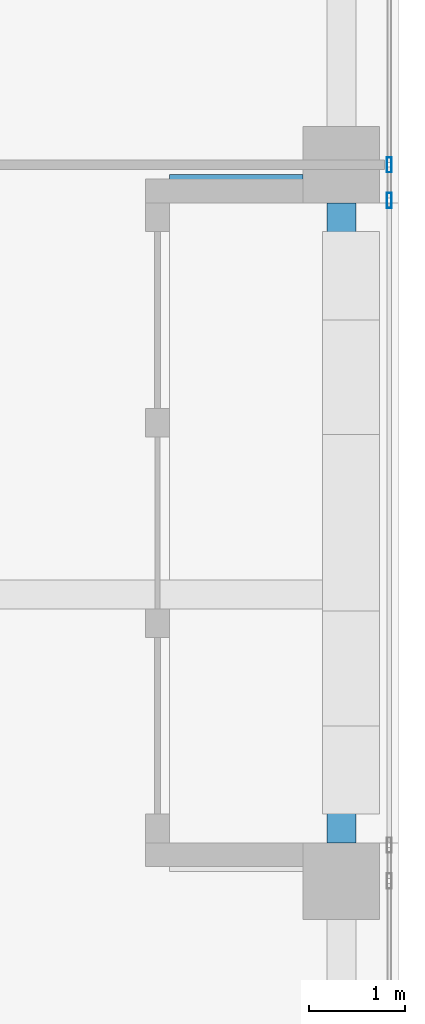
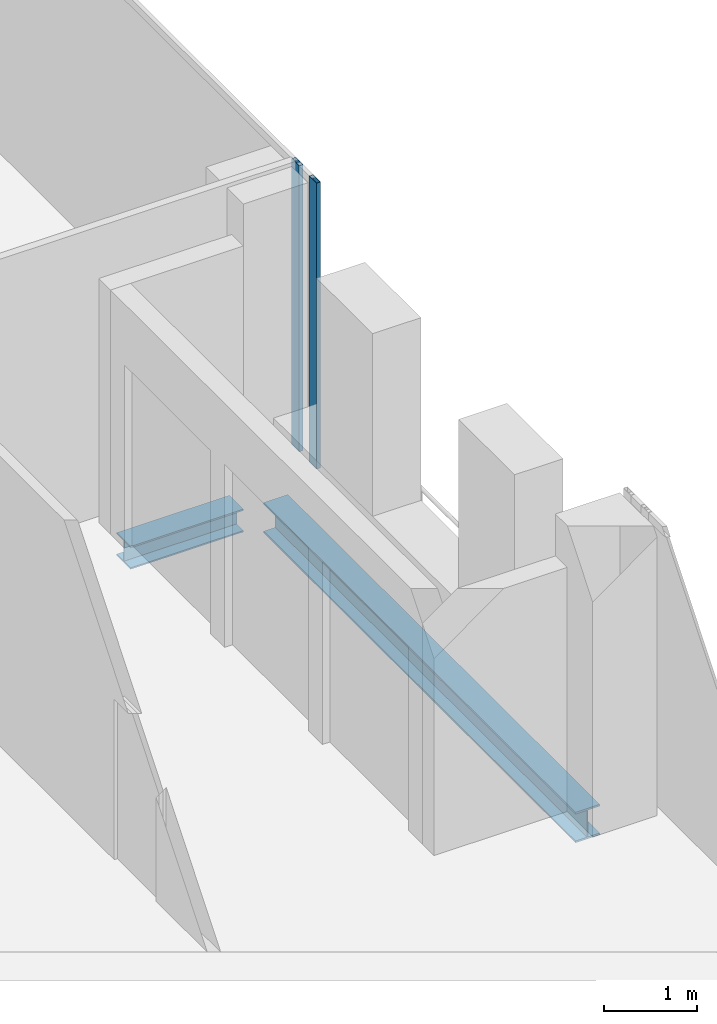
# One storey, part 11 of 29: 2 beams, 2 members, 1 element without a shape of its own.
"""IFC4 building model written with IfcOpenShell, lengths in metres."""

import ifcopenshell
import ifcopenshell.guid

model = None  # the IFC model being written
_history = None  # IfcOwnerHistory: only IFC2X3 demands one
_inside = {}  # id of a spatial element -> (the spatial element, [elements in it])
_under = {}  # id of a project, library or spatial element -> (it, [spatial elements below it])
_declared = {}  # id of a project -> (the project, [libraries it declares])
_typed = {}  # id of a type object -> (the type object, [elements of that type])
_made_of = {}  # id of a material, layer set ... -> (it, [elements and type objects made of it])


def new_model(schema):
    """Start an empty IFC model of exactly this schema.

    Asked for "IFC4X3", IfcOpenShell would pick the latest addendum, in which some entities
    have other attributes; the version numbers below select the first issue.
    IFC2X3 requires an IfcOwnerHistory on every rooted entity: one is made here for all.
    """
    global model, _history
    if schema == "IFC4X3":
        model = ifcopenshell.file(schema_version=(4, 3, 0, 0))
    else:
        model = ifcopenshell.file(schema=schema)
    _inside.clear()
    _under.clear()
    _declared.clear()
    _typed.clear()
    _made_of.clear()
    _history = None
    if model.schema == "IFC2X3":
        org = make("IfcOrganization", Name="unknown")
        user = make(
            "IfcPersonAndOrganization",
            ThePerson=make("IfcPerson", FamilyName="unknown"),
            TheOrganization=org,
        )
        app = make(
            "IfcApplication",
            ApplicationDeveloper=org,
            Version="unknown",
            ApplicationFullName="unknown",
            ApplicationIdentifier="unknown",
        )
        _history = make(
            "IfcOwnerHistory",
            OwningUser=user,
            OwningApplication=app,
            ChangeAction="ADDED",
            CreationDate=0,
        )
    return model


def make(cls, **values):
    """One entity of the class cls with the attributes given. An attribute that is None is left unset."""
    return model.create_entity(
        cls, **{name: value for name, value in values.items() if value is not None}
    )


def rooted(cls, **values):
    """An entity with a GlobalId (a new one), such as an element, a storey or a relation."""
    return make(cls, GlobalId=ifcopenshell.guid.new(), OwnerHistory=_history, **values)


def si_unit(unit_type, name, prefix=None):
    """IfcSIUnit, for example si_unit("LENGTHUNIT", "METRE", prefix="MILLI")."""
    return make("IfcSIUnit", UnitType=unit_type, Prefix=prefix, Name=name)


def assignment(units):
    """IfcUnitAssignment: the units of a project."""
    return None if units is None else make("IfcUnitAssignment", Units=units)


def point(xyz):
    """IfcCartesianPoint."""
    return None if xyz is None else make("IfcCartesianPoint", Coordinates=xyz)


def direction(xyz):
    """IfcDirection."""
    return None if xyz is None else make("IfcDirection", DirectionRatios=xyz)


def frame(location, z_axis=None, x_axis=None):
    """IfcAxis2Placement3D, a coordinate frame: its origin and axes. An axis left out is left unset."""
    return make(
        "IfcAxis2Placement3D",
        Location=point(location),
        Axis=direction(z_axis),
        RefDirection=direction(x_axis),
    )


def frame_2d(location, x_axis=None):
    """IfcAxis2Placement2D, a coordinate frame in the plane: its origin and x axis."""
    return make(
        "IfcAxis2Placement2D", Location=point(location), RefDirection=direction(x_axis)
    )


def origin():
    """The frame at (0, 0, 0) with its axes left unset."""
    return frame((0.0, 0.0, 0.0))


def origin_2d():
    """The frame at (0, 0) in the plane with its x axis left unset."""
    return frame_2d((0.0, 0.0))


def place(relative_to, where):
    """IfcLocalPlacement: puts the frame where relative to a parent placement (None: the world)."""
    return make(
        "IfcLocalPlacement", PlacementRelTo=relative_to, RelativePlacement=where
    )


def context(
    kind, dimensions, precision=None, world=None, true_north=None, identifier=None
):
    """IfcGeometricRepresentationContext, for example the 3D "Model" context."""
    return make(
        "IfcGeometricRepresentationContext",
        ContextIdentifier=identifier,
        ContextType=kind,
        CoordinateSpaceDimension=dimensions,
        Precision=precision,
        WorldCoordinateSystem=world,
        TrueNorth=true_north,
    )


def subcontext(parent, identifier, kind, view, scale=None):
    """IfcGeometricRepresentationSubContext, for example "Body" below "Model"."""
    return make(
        "IfcGeometricRepresentationSubContext",
        ContextIdentifier=identifier,
        ContextType=kind,
        ParentContext=parent,
        TargetScale=scale,
        TargetView=view,
    )


def project(units=None, contexts=None):
    """IfcProject with its units and contexts."""
    return rooted(
        "IfcProject",
        Name="project",
        RepresentationContexts=contexts,
        UnitsInContext=assignment(units),
    )


def spatial(cls, under=None, at=None, **own):
    """A site, building, storey or space (cls), placed at a placement, below another one or the project."""
    s = rooted(cls, ObjectPlacement=at, **own)
    if under is not None:
        _under.setdefault(under.id(), (under, []))[1].append(s)
    return s


def profile(cls, at=None, kind="AREA", **sizes):
    """A parametric profile (cls). Its sizes go by their IFC names, for example OverallWidth=200.0."""
    return make(cls, ProfileType=kind, Position=at, **sizes)


def hollow_rectangle(**sizes):
    """IfcRectangleHollowProfileDef."""
    return profile("IfcRectangleHollowProfileDef", **sizes)


def i_section(**sizes):
    """IfcIShapeProfileDef."""
    return profile("IfcIShapeProfileDef", **sizes)


def extrude(swept, where, along, depth):
    """IfcExtrudedAreaSolid: the profile swept, set in the frame where, extruded along a direction by depth."""
    return make(
        "IfcExtrudedAreaSolid",
        SweptArea=swept,
        Position=where,
        ExtrudedDirection=direction(along),
        Depth=depth,
    )


def shape(context_of_items, identifier, shape_type, items):
    """IfcShapeRepresentation: the items that make up one representation, for example the "Body"."""
    return make(
        "IfcShapeRepresentation",
        ContextOfItems=context_of_items,
        RepresentationIdentifier=identifier,
        RepresentationType=shape_type,
        Items=items,
    )


def source(mapping_origin, context_of_items, identifier, shape_type, items):
    """IfcRepresentationMap: a shape defined once, which mapped items show again and again."""
    return make(
        "IfcRepresentationMap",
        MappingOrigin=mapping_origin,
        MappedRepresentation=shape(context_of_items, identifier, shape_type, items),
    )


def transform(
    local_origin,
    x_axis=None,
    y_axis=None,
    z_axis=None,
    scale=None,
    scale2=None,
    scale3=None,
    uniform=True,
):
    """IfcCartesianTransformationOperator3D, or its non-uniform kind. x_axis, y_axis, z_axis: its Axis1, 2, 3."""
    if uniform:
        return make(
            "IfcCartesianTransformationOperator3D",
            Axis1=direction(x_axis),
            Axis2=direction(y_axis),
            LocalOrigin=point(local_origin),
            Scale=scale,
            Axis3=direction(z_axis),
        )
    return make(
        "IfcCartesianTransformationOperator3DnonUniform",
        Axis1=direction(x_axis),
        Axis2=direction(y_axis),
        LocalOrigin=point(local_origin),
        Scale=scale,
        Axis3=direction(z_axis),
        Scale2=scale2,
        Scale3=scale3,
    )


def mapped(mapping_source, mapping_target):
    """IfcMappedItem: shows the shape of a source again, moved by a transform."""
    return make(
        "IfcMappedItem", MappingSource=mapping_source, MappingTarget=mapping_target
    )


def material(Name=None, Category=None):
    """IfcMaterial."""
    return make("IfcMaterial", Name=Name, Category=Category)


def material_profile(
    of_material, cross_section, Name=None, Category=None, Priority=None
):
    """IfcMaterialProfile: a cross section and its material."""
    return make(
        "IfcMaterialProfile",
        Name=Name,
        Material=of_material,
        Profile=cross_section,
        Priority=Priority,
        Category=Category,
    )


def profile_set(profiles, Name=None, composite=None):
    """IfcMaterialProfileSet."""
    return make(
        "IfcMaterialProfileSet",
        Name=Name,
        MaterialProfiles=profiles,
        CompositeProfile=composite,
    )


def made_of(thing, what):
    """Note that an element or type object is made of a material, layer set ...; save() writes the relation."""
    if what is not None:
        _made_of.setdefault(what.id(), (what, []))[1].append(thing)
    return thing


def type_object(cls, material=None, **own):
    """A type object (cls), such as IfcWallType, which elements share."""
    return made_of(rooted(cls, **own), material)


def element(
    cls,
    number,
    at=None,
    inside=None,
    cuts=None,
    type_object=None,
    material=None,
    context=None,
    identifier="Body",
    shape_type=None,
    held_by="IfcProductDefinitionShape",
    body=None,
    shapes=None,
    **own,
):
    """One element of the class cls, such as IfcWall. Its Tag is "e" and its number.

    at: its placement. inside: the storey or other place that contains it. cuts: it is an
    opening in that element (IfcRelVoidsElement). A single representation is given by context,
    identifier, shape_type and body (its items); several are given by shapes. held_by: the class
    of the entity that holds the representations. save() writes the other relations.
    """
    e = rooted(cls, Tag="e%d" % number, ObjectPlacement=at, **own)
    if body is not None:
        shapes = [shape(context, identifier, shape_type, body)]
    if shapes is not None:
        e.Representation = make(held_by, Representations=shapes)
    if inside is not None:
        _inside.setdefault(inside.id(), (inside, []))[1].append(e)
    if cuts is not None:
        rooted(
            "IfcRelVoidsElement", RelatingBuildingElement=cuts, RelatedOpeningElement=e
        )
    if type_object is not None:
        _typed.setdefault(type_object.id(), (type_object, []))[1].append(e)
    return made_of(e, material)


def aggregate(whole, parts):
    """IfcRelAggregates: a whole, such as a stair, and the parts it consists of."""
    return rooted("IfcRelAggregates", RelatingObject=whole, RelatedObjects=parts)


def save(model, path):
    """Write the relations noted so far, then the file.

    IfcRelAggregates (storeys below a building ...), IfcRelContainedInSpatialStructure (elements
    in a storey), IfcRelDefinesByType, IfcRelAssociatesMaterial and IfcRelDeclares: one each for
    every whole, place, type object, material and project.
    """
    for whole, parts in _under.values():
        aggregate(whole, parts)
    for where, things in _inside.values():
        rooted(
            "IfcRelContainedInSpatialStructure",
            RelatedElements=things,
            RelatingStructure=where,
        )
    for kind, things in _typed.values():
        rooted("IfcRelDefinesByType", RelatedObjects=things, RelatingType=kind)
    for what, things in _made_of.values():
        rooted("IfcRelAssociatesMaterial", RelatedObjects=things, RelatingMaterial=what)
    for by, libraries in _declared.values():
        rooted("IfcRelDeclares", RelatingContext=by, RelatedDefinitions=libraries)
    model.write(path)


model = new_model("IFC4")

# Units and contexts
model_context = context("Model", 3, precision=1e-05, world=origin(), true_north=direction((0.0, 1.0)))
body_context = subcontext(model_context, "Body", "Model", "MODEL_VIEW")
ifc_project = project(units=[si_unit("LENGTHUNIT", "METRE"), si_unit("AREAUNIT", "SQUARE_METRE"), si_unit("VOLUMEUNIT", "CUBIC_METRE"), si_unit("PLANEANGLEUNIT", "RADIAN"), si_unit("MASSUNIT", "GRAM", prefix="KILO")], contexts=[model_context])

# Site, building, storey
site_placement = place(None, origin())
site = spatial("IfcSite", under=ifc_project, at=site_placement, CompositionType="ELEMENT")
building_placement = place(site_placement, origin())
building = spatial("IfcBuilding", under=site, at=building_placement, Name="Khomas Fold Tower", CompositionType="ELEMENT")
storey_placement = place(building_placement, frame((0.0, 0.0, 322.199951171875)))
storey = spatial("IfcBuildingStorey", under=building, at=storey_placement, Name="L73", CompositionType="ELEMENT", Elevation=322.199951171875)

# Beams
ifc_material_1 = material(Name="Steel S355", Category="steel")
ifc_material_profile_1 = material_profile(ifc_material_1, i_section(OverallWidth=0.300048828125, OverallDepth=0.39990234375, WebThickness=0.013427734375, FlangeThickness=0.02392578125, at=origin_2d()), Name="HE 400 B")
ifc_profile_set_1 = profile_set([ifc_material_profile_1], Name="Steel S355")
beam_type_1 = type_object("IfcBeamType", Name="HE 400 B spandrel SB5", PredefinedType="SPANDREL", material=ifc_profile_set_1)
shared_shape_1 = source(origin(), body_context, "Body", "SweptSolid", [
    extrude(i_section(OverallWidth=0.300048828125, OverallDepth=0.39990234375, WebThickness=0.013427734375, FlangeThickness=0.02392578125, at=origin_2d()), origin(), (0.0, 0.0, 1.0), 6.7001953125),
])
beam_1_placement = place(storey_placement, frame((47.39990234375, 19.89990234375, -0.449951171875), z_axis=(0.0, 1.0, 0.0), x_axis=(-1.0, 0.0, 0.0)))
element("IfcBeam", 1, at=beam_1_placement, inside=storey, type_object=beam_type_1, Name="SB5", PredefinedType="SPANDREL", context=body_context, shape_type="MappedRepresentation", body=[
    mapped(shared_shape_1, transform((0.0, 0.0, 0.0))),
])
ifc_material_2 = material(Name="Steel S355", Category="steel")
ifc_material_profile_2 = material_profile(ifc_material_2, i_section(OverallWidth=0.300048828125, OverallDepth=0.300048828125, WebThickness=0.010986328125, FlangeThickness=0.01904296875, at=origin_2d()), Name="HE 300 B")
ifc_profile_set_2 = profile_set([ifc_material_profile_2], Name="Steel S355")
beam_type_2 = type_object("IfcBeamType", Name="HE 300 B beam BB1", PredefinedType="BEAM", material=ifc_profile_set_2)
shared_shape_2 = source(origin(), body_context, "Body", "SweptSolid", [
    extrude(i_section(OverallWidth=0.300048828125, OverallDepth=0.300048828125, WebThickness=0.010986328125, FlangeThickness=0.01904296875, at=origin_2d()), origin(), (0.0, 0.0, 1.0), 1.39990234375),
])
beam_2_placement = place(storey_placement, frame((45.60009765625, 26.75, -0.39990234375), z_axis=(1.0, 0.0, 0.0), x_axis=(0.0, 1.0, 0.0)))
element("IfcBeam", 2, at=beam_2_placement, inside=storey, type_object=beam_type_2, Name="BB1", PredefinedType="BEAM", context=body_context, shape_type="MappedRepresentation", body=[
    mapped(shared_shape_2, transform((0.0, 0.0, 0.0))),
])

# Curtain wall, members
ifc_material_3 = material(Name="Aluminium framed double glazing", Category="aluminium")
curtain_wall_type = type_object("IfcCurtainWallType", Name="SK-Unitised clear-glass wall, upper floors CW3", PredefinedType="NOTDEFINED", material=ifc_material_3)
curtain_wall_placement = place(storey_placement, origin())
curtain_wall = element("IfcCurtainWall", 3, at=curtain_wall_placement, inside=storey, type_object=curtain_wall_type, Name="CW3 run L73 03-1", PredefinedType="NOTDEFINED")
ifc_material_4 = material(Name="Aluminium", Category="aluminium")
ifc_material_profile_3 = material_profile(ifc_material_4, hollow_rectangle(XDim=0.050048828125, YDim=0.159912109375, WallThickness=0.00390625, at=origin_2d()), Name="SK-Unitised clear-glass wall, upper floors mullion CW3-M")
ifc_profile_set_3 = profile_set([ifc_material_profile_3], Name="Aluminium")
member_type = type_object("IfcMemberType", Name="SK-Unitised clear-glass wall, upper floors mullion CW3-M", PredefinedType="MULLION", material=ifc_profile_set_3)
shared_shape_3 = source(origin(), body_context, "Body", "SweptSolid", [
    extrude(hollow_rectangle(XDim=0.050048828125, YDim=0.159912109375, WallThickness=0.00390625, at=origin_2d()), origin(), (0.0, 0.0, 1.0), 3.75),
])
member_1_placement = place(storey_placement, frame((47.89990234375, 26.625, 0.0), z_axis=(0.0, 0.0, 1.0), x_axis=(-1.0, 0.0, 0.0)))
member_1 = element("IfcMember", 4, at=member_1_placement, type_object=member_type, Name="CW3 mullion 1", PredefinedType="MULLION", context=body_context, shape_type="MappedRepresentation", body=[
    mapped(shared_shape_3, transform((0.0, 0.0, 0.0))),
])
member_2_placement = place(storey_placement, frame((47.89990234375, 27.0, 0.0), z_axis=(0.0, 0.0, 1.0), x_axis=(-1.0, 0.0, 0.0)))
member_2 = element("IfcMember", 5, at=member_2_placement, type_object=member_type, Name="CW3 mullion 2", PredefinedType="MULLION", context=body_context, shape_type="MappedRepresentation", body=[
    mapped(shared_shape_3, transform((0.0, 0.0, 0.0))),
])
aggregate(curtain_wall, [member_1, member_2])

save(model, "model.ifc")
